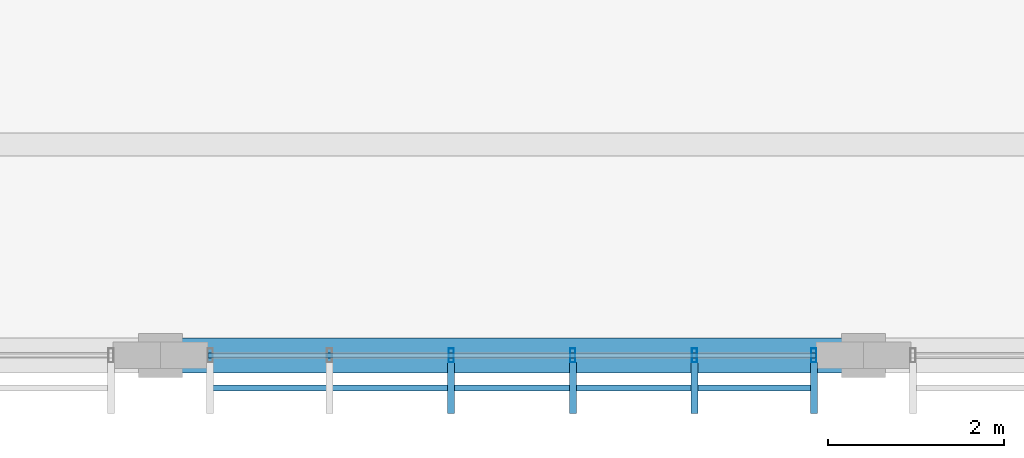
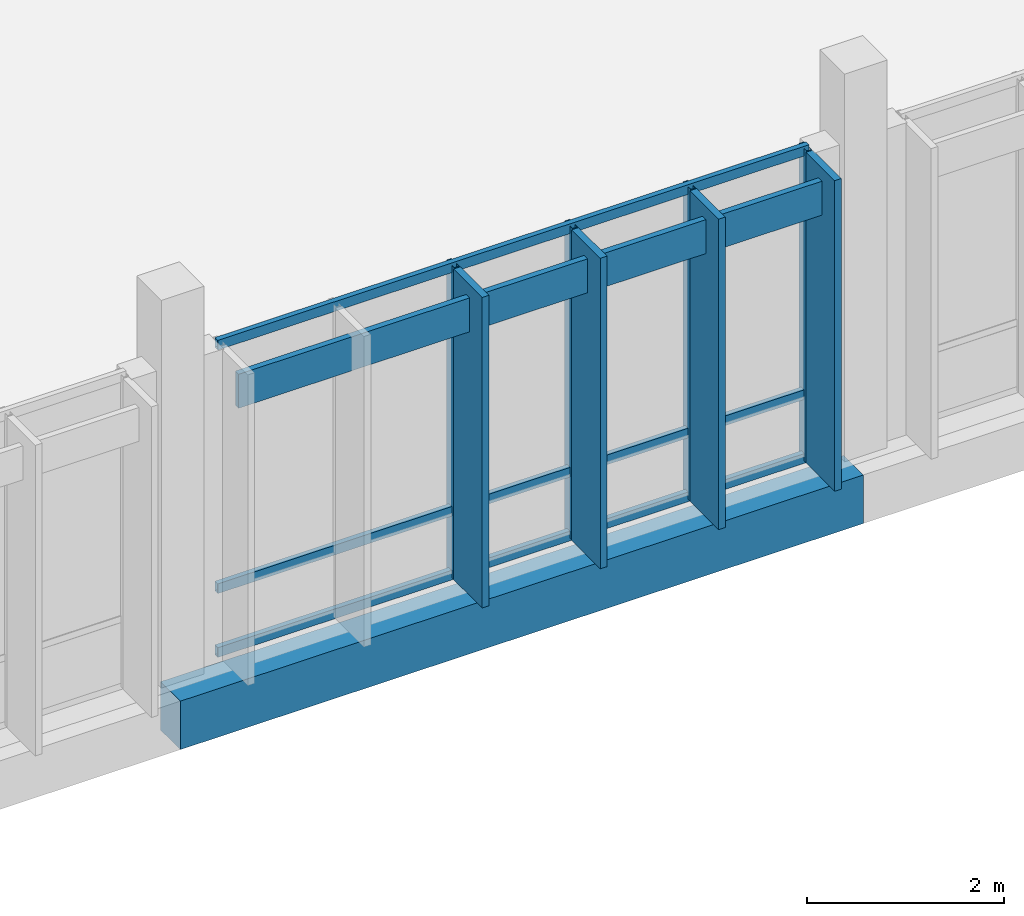
# One storey, part 12 of 177: 12 members, 1 beam, 1 element without a shape of its own.
"""IFC4 building model written with IfcOpenShell, lengths in metres."""

from ifc_helpers import new_model, si_unit, direction, frame, origin, origin_2d, place, context, subcontext, project, spatial, rectangle, hollow_rectangle, extrude, material, material_profile, profile_set, type_object, element, aggregate, save


model = new_model("IFC4")

# Units and contexts
model_context = context("Model", 3, precision=1e-05, world=origin(), true_north=direction((0.0, 1.0)))
body_context = subcontext(model_context, "Body", "Model", "MODEL_VIEW")
ifc_project = project(units=[si_unit("LENGTHUNIT", "METRE"), si_unit("AREAUNIT", "SQUARE_METRE"), si_unit("VOLUMEUNIT", "CUBIC_METRE"), si_unit("PLANEANGLEUNIT", "RADIAN"), si_unit("MASSUNIT", "GRAM", prefix="KILO")], contexts=[model_context])

# Site, building, storey
site_placement = place(None, origin())
site = spatial("IfcSite", under=ifc_project, at=site_placement, CompositionType="ELEMENT")
building_placement = place(site_placement, origin())
building = spatial("IfcBuilding", under=site, at=building_placement, Name="Chiffa Square Polytechnic", CompositionType="ELEMENT")
storey_placement = place(building_placement, frame((0.0, 0.0, 4.800048828125)))
storey = spatial("IfcBuildingStorey", under=building, at=storey_placement, Name="L01", CompositionType="ELEMENT", Elevation=4.800048828125)

# Beam
ifc_material_1 = material(Name="Concrete C35/45", Category="concrete")
ifc_material_profile_1 = material_profile(ifc_material_1, rectangle(XDim=0.39990234375, YDim=0.60009765625, at=origin_2d()), Name="RC 400x600")
ifc_profile_set_1 = profile_set([ifc_material_profile_1], Name="Concrete C35/45")
beam_type = type_object("IfcBeamType", Name="BM-RC-400X600", PredefinedType="BEAM", material=ifc_profile_set_1)
beam_placement = place(storey_placement, frame((8.0, 0.0, -0.580078125), z_axis=(1.0, 0.0, 0.0), x_axis=(0.0, 1.0, 0.0)))
element("IfcBeam", 1, at=beam_placement, inside=storey, type_object=beam_type, Name="Primary floor girder BM-V3-L01-X-0080-0000", PredefinedType="BEAM", context=body_context, shape_type="SweptSolid", body=[
    extrude(rectangle(XDim=0.39990234375, YDim=0.60009765625, at=origin_2d()), origin(), (0.0, 0.0, 1.0), 8.0),
])

# Curtain wall, members
ifc_material_2 = material(Name="Aluminium EN AW-6060 T66 and glulam shading", Category="wood")
curtain_wall_type = type_object("IfcCurtainWallType", Name="CW-VERT-450X380", PredefinedType="USERDEFINED", material=ifc_material_2)
curtain_wall_placement = place(storey_placement, origin())
curtain_wall = element("IfcCurtainWall", 2, at=curtain_wall_placement, inside=storey, type_object=curtain_wall_type, Name="Curtain wall CW-V3-L01-154", ObjectType="CURTAIN WALL", PredefinedType="USERDEFINED")
ifc_material_3 = material(Name="Aluminium EN AW-6060 T66", Category="aluminium")
ifc_material_profile_2 = material_profile(ifc_material_3, hollow_rectangle(XDim=0.06005859375, YDim=0.159912109375, WallThickness=0.00390625, at=origin_2d()), Name="ALU 60x160x4")
ifc_profile_set_2 = profile_set([ifc_material_profile_2], Name="Aluminium EN AW-6060 T66")
member_type_1 = type_object("IfcMemberType", Name="CWM-ALU-65X150", PredefinedType="MULLION", material=ifc_profile_set_2)
member_1_placement = place(storey_placement, frame((11.30810546875, 0.0, 0.0), z_axis=(0.0, 0.0, 1.0), x_axis=(1.0, 0.0, 0.0)))
member_1 = element("IfcMember", 3, at=member_1_placement, type_object=member_type_1, Name="Curtain wall mullion CW-V3-L01-154-M02", PredefinedType="MULLION", context=body_context, shape_type="SweptSolid", body=[
    extrude(hollow_rectangle(XDim=0.06005859375, YDim=0.159912109375, WallThickness=0.00390625, at=origin_2d()), origin(), (0.0, 0.0, 1.0), 3.864990234375),
])
member_2_placement = place(storey_placement, frame((12.69189453125, 0.0, 0.0), z_axis=(0.0, 0.0, 1.0), x_axis=(1.0, 0.0, 0.0)))
member_2 = element("IfcMember", 4, at=member_2_placement, type_object=member_type_1, Name="Curtain wall mullion CW-V3-L01-154-M03", PredefinedType="MULLION", context=body_context, shape_type="SweptSolid", body=[
    extrude(hollow_rectangle(XDim=0.06005859375, YDim=0.159912109375, WallThickness=0.00390625, at=origin_2d()), origin(), (0.0, 0.0, 1.0), 3.864990234375),
])
member_3_placement = place(storey_placement, frame((14.075927734375, 0.0, 0.0), z_axis=(0.0, 0.0, 1.0), x_axis=(1.0, 0.0, 0.0)))
member_3 = element("IfcMember", 5, at=member_3_placement, type_object=member_type_1, Name="Curtain wall mullion CW-V3-L01-154-M04", PredefinedType="MULLION", context=body_context, shape_type="SweptSolid", body=[
    extrude(hollow_rectangle(XDim=0.06005859375, YDim=0.159912109375, WallThickness=0.00390625, at=origin_2d()), origin(), (0.0, 0.0, 1.0), 3.864990234375),
])
member_4_placement = place(storey_placement, frame((15.43505859375, 0.0, 0.0), z_axis=(0.0, 0.0, 1.0), x_axis=(1.0, 0.0, 0.0)))
member_4 = element("IfcMember", 6, at=member_4_placement, type_object=member_type_1, Name="Curtain wall mullion CW-V3-L01-154-M05", PredefinedType="MULLION", context=body_context, shape_type="SweptSolid", body=[
    extrude(hollow_rectangle(XDim=0.06005859375, YDim=0.159912109375, WallThickness=0.00390625, at=origin_2d()), origin(), (0.0, 0.0, 1.0), 3.864990234375),
])
ifc_material_4 = material(Name="Glulam GL28h", Category="wood")
ifc_material_profile_3 = material_profile(ifc_material_4, rectangle(XDim=0.080078125, YDim=0.580078125, at=origin_2d()), Name="GL28h 80x580")
ifc_profile_set_3 = profile_set([ifc_material_profile_3], Name="Glulam GL28h")
member_type_2 = type_object("IfcMemberType", Name="CWM-GL-80X580", PredefinedType="MULLION", material=ifc_profile_set_3)
member_5_placement = place(storey_placement, frame((11.30810546875, -0.3720703125, 0.010009765625), z_axis=(0.0, 0.0, 1.0), x_axis=(1.0, 0.0, 0.0)))
member_5 = element("IfcMember", 7, at=member_5_placement, type_object=member_type_2, Name="Exterior glulam solar fin CW-V3-L01-154-FN02", PredefinedType="MULLION", context=body_context, shape_type="SweptSolid", body=[
    extrude(rectangle(XDim=0.080078125, YDim=0.580078125, at=origin_2d()), origin(), (0.0, 0.0, 1.0), 3.844970703125),
])
member_6_placement = place(storey_placement, frame((12.69189453125, -0.3720703125, 0.010009765625), z_axis=(0.0, 0.0, 1.0), x_axis=(1.0, 0.0, 0.0)))
member_6 = element("IfcMember", 8, at=member_6_placement, type_object=member_type_2, Name="Exterior glulam solar fin CW-V3-L01-154-FN03", PredefinedType="MULLION", context=body_context, shape_type="SweptSolid", body=[
    extrude(rectangle(XDim=0.080078125, YDim=0.580078125, at=origin_2d()), origin(), (0.0, 0.0, 1.0), 3.844970703125),
])
member_7_placement = place(storey_placement, frame((14.075927734375, -0.3720703125, 0.010009765625), z_axis=(0.0, 0.0, 1.0), x_axis=(1.0, 0.0, 0.0)))
member_7 = element("IfcMember", 9, at=member_7_placement, type_object=member_type_2, Name="Exterior glulam solar fin CW-V3-L01-154-FN04", PredefinedType="MULLION", context=body_context, shape_type="SweptSolid", body=[
    extrude(rectangle(XDim=0.080078125, YDim=0.580078125, at=origin_2d()), origin(), (0.0, 0.0, 1.0), 3.844970703125),
])
member_8_placement = place(storey_placement, frame((15.43505859375, -0.3720703125, 0.010009765625), z_axis=(0.0, 0.0, 1.0), x_axis=(1.0, 0.0, 0.0)))
member_8 = element("IfcMember", 10, at=member_8_placement, type_object=member_type_2, Name="Exterior glulam solar fin CW-V3-L01-154-FN05", PredefinedType="MULLION", context=body_context, shape_type="SweptSolid", body=[
    extrude(rectangle(XDim=0.080078125, YDim=0.580078125, at=origin_2d()), origin(), (0.0, 0.0, 1.0), 3.844970703125),
])
ifc_material_profile_4 = material_profile(ifc_material_3, hollow_rectangle(XDim=0.06005859375, YDim=0.1201171875, WallThickness=0.00390625, at=origin_2d()), Name="ALU 60x120x4")
ifc_profile_set_4 = profile_set([ifc_material_profile_4], Name="Aluminium EN AW-6060 T66")
member_type_3 = type_object("IfcMemberType", Name="CWT-ALU-65X120", PredefinedType="USERDEFINED", material=ifc_profile_set_4)
member_9_placement = place(storey_placement, frame((8.5380859375, 0.0, 0.030029296875), z_axis=(1.0, 0.0, 0.0), x_axis=(0.0, 1.0, 0.0)))
member_9 = element("IfcMember", 11, at=member_9_placement, type_object=member_type_3, Name="Curtain wall transom CW-V3-L01-154-T01", ObjectType="TRANSOM", PredefinedType="USERDEFINED", context=body_context, shape_type="SweptSolid", body=[
    extrude(hollow_rectangle(XDim=0.06005859375, YDim=0.1201171875, WallThickness=0.00390625, at=origin_2d()), origin(), (0.0, 0.0, 1.0), 6.923828125),
])
member_10_placement = place(storey_placement, frame((8.5380859375, 0.0, 0.820068359375), z_axis=(1.0, 0.0, 0.0), x_axis=(0.0, 1.0, 0.0)))
member_10 = element("IfcMember", 12, at=member_10_placement, type_object=member_type_3, Name="Curtain wall transom CW-V3-L01-154-T02", ObjectType="TRANSOM", PredefinedType="USERDEFINED", context=body_context, shape_type="SweptSolid", body=[
    extrude(hollow_rectangle(XDim=0.06005859375, YDim=0.1201171875, WallThickness=0.00390625, at=origin_2d()), origin(), (0.0, 0.0, 1.0), 6.923828125),
])
member_11_placement = place(storey_placement, frame((8.5380859375, 0.0, 3.8349609375), z_axis=(1.0, 0.0, 0.0), x_axis=(0.0, 1.0, 0.0)))
member_11 = element("IfcMember", 13, at=member_11_placement, type_object=member_type_3, Name="Curtain wall transom CW-V3-L01-154-T03", ObjectType="TRANSOM", PredefinedType="USERDEFINED", context=body_context, shape_type="SweptSolid", body=[
    extrude(hollow_rectangle(XDim=0.06005859375, YDim=0.1201171875, WallThickness=0.00390625, at=origin_2d()), origin(), (0.0, 0.0, 1.0), 6.923828125),
])
ifc_material_profile_5 = material_profile(ifc_material_4, rectangle(XDim=0.070068359375, YDim=0.419921875, at=origin_2d()), Name="GL28h 70x420")
ifc_profile_set_5 = profile_set([ifc_material_profile_5], Name="Glulam GL28h")
member_type_4 = type_object("IfcMemberType", Name="CWT-GL-70X420", PredefinedType="USERDEFINED", material=ifc_profile_set_5)
member_12_placement = place(storey_placement, frame((8.56494140625, -0.3720703125, 3.48486328125), z_axis=(1.0, 0.0, 0.0), x_axis=(0.0, 1.0, 0.0)))
member_12 = element("IfcMember", 14, at=member_12_placement, type_object=member_type_4, Name="Exterior glulam brise-soleil CW-V3-L01-154-BS01", ObjectType="TRANSOM", PredefinedType="USERDEFINED", context=body_context, shape_type="SweptSolid", body=[
    extrude(rectangle(XDim=0.070068359375, YDim=0.419921875, at=origin_2d()), origin(), (0.0, 0.0, 1.0), 6.8701171875),
])
aggregate(curtain_wall, [member_1, member_5, member_2, member_6, member_3, member_7, member_4, member_8, member_9, member_10, member_11, member_12])

save(model, "model.ifc")
